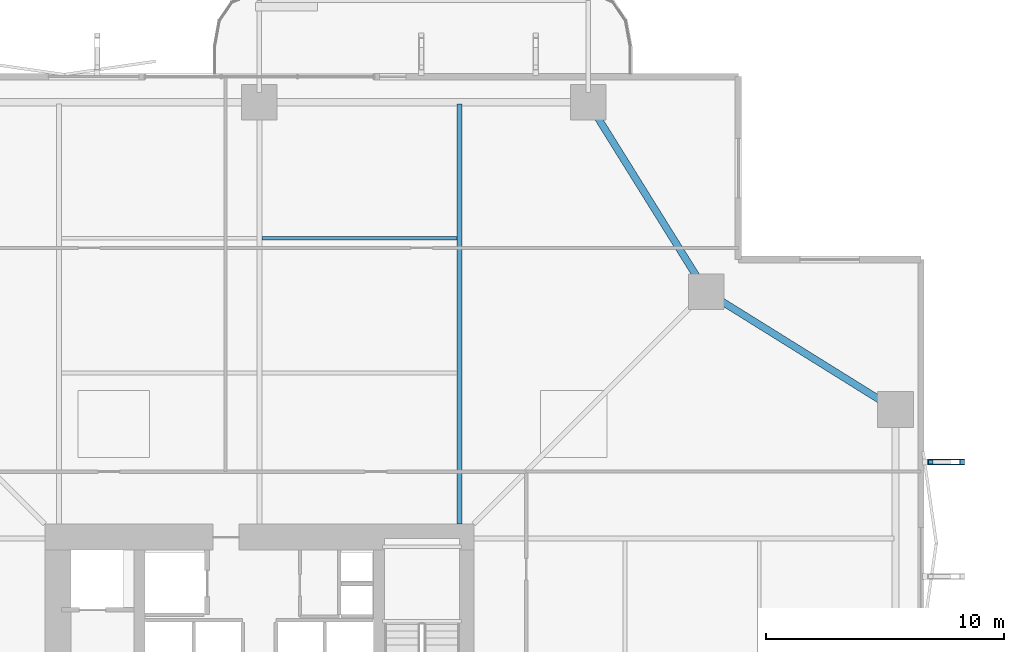
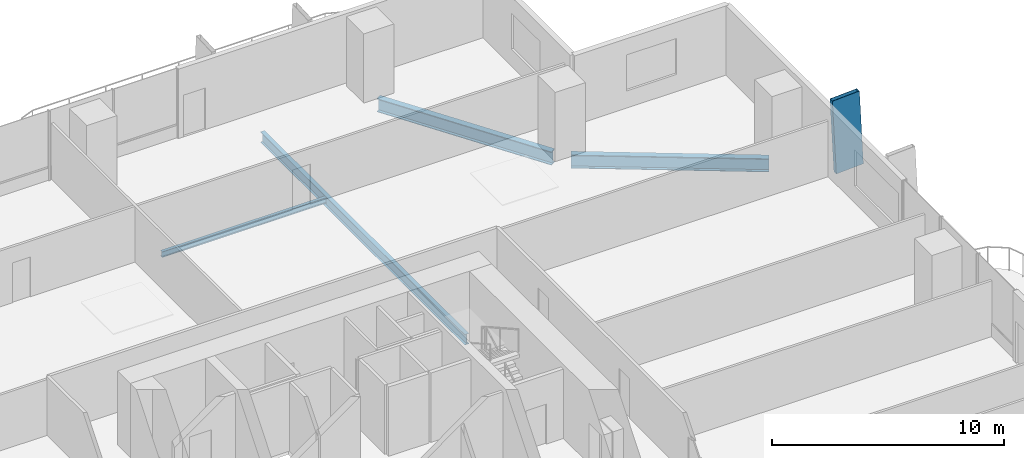
# One storey, part 14 of 23: 4 beams, 1 member.
"""IFC4 building model written with IfcOpenShell, lengths in metres."""

from ifc_helpers import new_model, si_unit, direction, frame, origin, origin_2d, place, context, subcontext, project, spatial, hollow_rectangle, i_section, extrude, material, material_profile, profile_set, type_object, element, save


model = new_model("IFC4")

# Units and contexts
model_context = context("Model", 3, precision=1e-05, world=origin(), true_north=direction((0.0, 1.0)))
body_context = subcontext(model_context, "Body", "Model", "MODEL_VIEW")
ifc_project = project(units=[si_unit("LENGTHUNIT", "METRE"), si_unit("AREAUNIT", "SQUARE_METRE"), si_unit("VOLUMEUNIT", "CUBIC_METRE"), si_unit("PLANEANGLEUNIT", "RADIAN"), si_unit("MASSUNIT", "GRAM", prefix="KILO")], contexts=[model_context])

# Site, building, storey
site_placement = place(None, origin())
site = spatial("IfcSite", under=ifc_project, at=site_placement, CompositionType="ELEMENT")
building_placement = place(site_placement, origin())
building = spatial("IfcBuilding", under=site, at=building_placement, Name="Belovzor Exchange Tower", CompositionType="ELEMENT")
storey_placement = place(building_placement, frame((0.0, 0.0, 76.800048828125)))
storey = spatial("IfcBuildingStorey", under=building, at=storey_placement, Name="L18", CompositionType="ELEMENT", Elevation=76.800048828125)

# Member
ifc_material_1 = material(Name="Extruded Architectural Terracotta on Steel S355 Carrier", Category="masonry")
ifc_material_profile_1 = material_profile(ifc_material_1, hollow_rectangle(XDim=0.219970703125, YDim=1.35009765625, WallThickness=0.013916015625, at=origin_2d()))
ifc_profile_set_1 = profile_set([ifc_material_profile_1], Name="Extruded Architectural Terracotta on Steel S355 Carrier")
member_type = type_object("IfcMemberType", Name="Base Arc Sweeping Terracotta Pylon Fin 1450", PredefinedType="USERDEFINED", material=ifc_profile_set_1)
member_placement = place(storey_placement, frame((57.72607421875, 40.39990234375, -0.25), z_axis=(-0.050704695274, 0.0, 0.998713689641), x_axis=(0.0, -1.0, 0.0)))
element("IfcMember", 1, at=member_placement, inside=storey, type_object=member_type, Name="FIN-TC145 Terracotta Facade Fin L18 E4", ObjectType="FIN", PredefinedType="USERDEFINED", context=body_context, shape_type="SweptSolid", body=[
    extrude(hollow_rectangle(XDim=0.219970703125, YDim=1.35009765625, WallThickness=0.013916015625, at=origin_2d()), origin(), (0.0, 0.0, 1.0), 3.905029296875),
])

# Beams
ifc_material_2 = material(Name="Steel S355", Category="steel")
ifc_material_profile_2 = material_profile(ifc_material_2, i_section(OverallWidth=0.14990234375, OverallDepth=0.300048828125, WebThickness=0.007080078125, FlangeThickness=0.0107421875, at=origin_2d()))
ifc_profile_set_2 = profile_set([ifc_material_profile_2], Name="Steel S355")
beam_type_1 = type_object("IfcBeamType", Name="Secondary Trim Floor Joist IPE 300", PredefinedType="BEAM", material=ifc_profile_set_2)
beam_1_placement = place(storey_placement, frame((28.905029296875, 49.784912109375, -0.400146484375), z_axis=(1.0, 0.0, 0.0), x_axis=(0.0, 1.0, 0.0)))
element("IfcBeam", 2, at=beam_1_placement, inside=storey, type_object=beam_type_1, Name="FJ-300 Secondary Trim Floor Joist IPE 300", PredefinedType="BEAM", context=body_context, shape_type="SweptSolid", body=[
    extrude(i_section(OverallWidth=0.14990234375, OverallDepth=0.300048828125, WebThickness=0.007080078125, FlangeThickness=0.0107421875, at=origin_2d()), origin(), (0.0, 0.0, 1.0), 8.18994140625),
])
ifc_material_3 = material(Name="Steel S355", Category="steel")
ifc_material_profile_3 = material_profile(ifc_material_3, i_section(OverallWidth=0.300048828125, OverallDepth=0.699951171875, WebThickness=0.01708984375, FlangeThickness=0.031982421875, at=origin_2d()))
ifc_profile_set_3 = profile_set([ifc_material_profile_3], Name="Steel S355")
beam_type_2 = type_object("IfcBeamType", Name="Zone 1 Primary Perimeter Girder HEB 700", PredefinedType="BEAM", material=ifc_profile_set_3)
for number, where, z_axis, x_axis, name in (
    (3, (55.14990234375, 42.818115234375, -0.60009765625), (-0.848909251292, 0.528538629686, 0.0), (-0.528538629686, -0.848909251292, 0.0), "FG-Z1 Zone 1 Primary Perimeter Girder HEB 700"),
    (4, (47.33203125, 47.89990234375, -0.60009765625), (-0.528538629686, 0.848909251292, 0.0), (-0.848909251292, -0.528538629686, 0.0), "FG-Z1 Zone 1 Primary Perimeter Girder HEB 700"),
):
    element("IfcBeam", number, at=place(storey_placement, frame(where, z_axis=z_axis, x_axis=x_axis)), inside=storey, type_object=beam_type_2, Name=name, PredefinedType="BEAM", context=body_context, shape_type="SweptSolid", body=[
        extrude(i_section(OverallWidth=0.300048828125, OverallDepth=0.699951171875, WebThickness=0.01708984375, FlangeThickness=0.031982421875, at=origin_2d()), origin(), (0.0, 0.0, 1.0), 8.540283203125),
    ])
ifc_material_4 = material(Name="Steel S355", Category="steel")
ifc_material_profile_4 = material_profile(ifc_material_4, i_section(OverallWidth=0.2099609375, OverallDepth=0.550048828125, WebThickness=0.010986328125, FlangeThickness=0.01708984375, at=origin_2d()))
ifc_profile_set_4 = profile_set([ifc_material_profile_4], Name="Steel S355")
beam_type_3 = type_object("IfcBeamType", Name="Zone 1 Radial Composite Floor Beam IPE 550", PredefinedType="BEAM", material=ifc_profile_set_4)
beam_2_placement = place(storey_placement, frame((37.199951171875, 37.800048828125, -0.525146484375), z_axis=(0.0, 1.0, 0.0), x_axis=(-1.0, 0.0, 0.0)))
element("IfcBeam", 5, at=beam_2_placement, inside=storey, type_object=beam_type_3, Name="FB-550 Zone 1 Radial Composite Floor Beam IPE 550", PredefinedType="BEAM", context=body_context, shape_type="SweptSolid", body=[
    extrude(i_section(OverallWidth=0.2099609375, OverallDepth=0.550048828125, WebThickness=0.010986328125, FlangeThickness=0.01708984375, at=origin_2d()), origin(), (0.0, 0.0, 1.0), 17.625),
])

save(model, "model.ifc")
